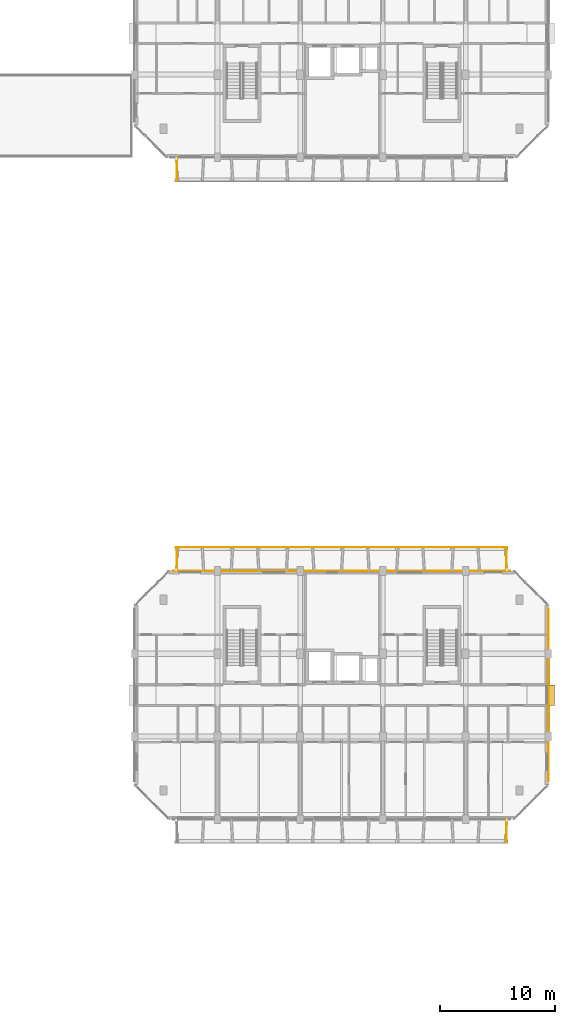
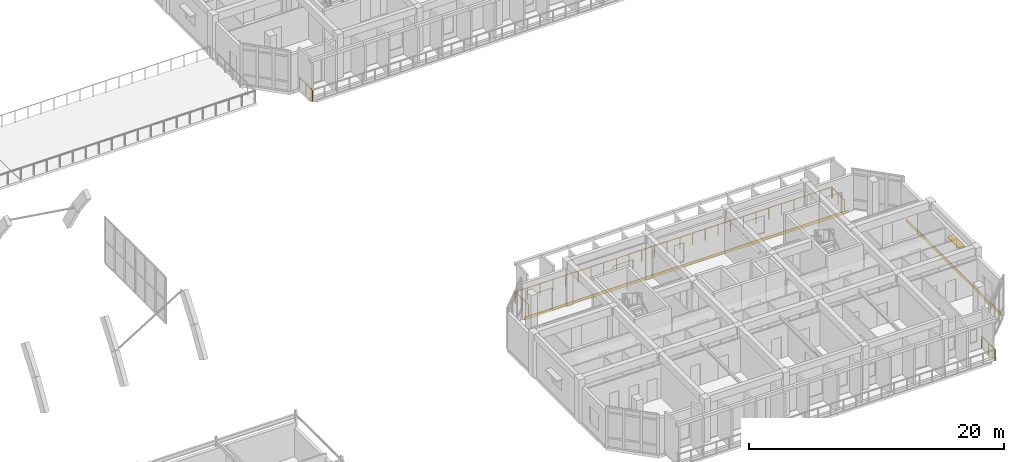
# One storey, part 81 of 85: 5 railings, 2 coverings, 1 shading device.
"""IFC4 building model written with IfcOpenShell, lengths in metres."""

from ifc_helpers import new_model, si_unit, direction, frame, origin, origin_2d, place, context, subcontext, project, spatial, rectangle, circle, extrude, material, layer, layer_set, type_object, element, save


model = new_model("IFC4")

# Units and contexts
model_context = context("Model", 3, precision=1e-05, world=origin(), true_north=direction((0.0, 1.0)))
body_context = subcontext(model_context, "Body", "Model", "MODEL_VIEW")
ifc_project = project(units=[si_unit("LENGTHUNIT", "METRE"), si_unit("AREAUNIT", "SQUARE_METRE"), si_unit("VOLUMEUNIT", "CUBIC_METRE"), si_unit("PLANEANGLEUNIT", "RADIAN"), si_unit("MASSUNIT", "GRAM", prefix="KILO")], contexts=[model_context])

# Site, building, storey
site_placement = place(None, origin())
site = spatial("IfcSite", under=ifc_project, at=site_placement, CompositionType="ELEMENT")
building_placement = place(site_placement, origin())
building = spatial("IfcBuilding", under=site, at=building_placement, Name="Ochrevale Crest", CompositionType="ELEMENT")
storey_placement = place(building_placement, frame((0.0, 0.0, 4.5)))
storey = spatial("IfcBuildingStorey", under=building, at=storey_placement, Name="L01", CompositionType="ELEMENT", Elevation=4.5)

# Coverings
ifc_material_1 = material(Name="Glazed terracotta rainscreen tile", Category="masonry")
ifc_layer = layer(ifc_material_1, 0.048095703125)
ifc_layer_set = layer_set([ifc_layer], Name="Glazed terracotta rainscreen tile")
covering_type = type_object("IfcCoveringType", Name="COV-CLAD-TER", PredefinedType="CLADDING", material=ifc_layer_set)
covering_1_placement = place(storey_placement, frame((165.614501953125, 25.199951171875, -0.26025390625), z_axis=(0.0, 0.0, 1.0), x_axis=(0.0, 1.0, 0.0)))
element("IfcCovering", 1, at=covering_1_placement, inside=storey, type_object=covering_type, Name="Block C L01 terracotta slab-edge spandrel cladding", PredefinedType="CLADDING", context=body_context, shape_type="SweptSolid", body=[
    extrude(rectangle(XDim=15.0, YDim=0.06005859375, at=origin_2d()), origin(), (0.0, 0.0, 1.0), 0.280029296875),
])
covering_2_placement = place(storey_placement, frame((147.60009765625, 36.012451171875, -0.26025390625), z_axis=(0.0, 0.0, 1.0), x_axis=(-1.0, 0.0, 0.0)))
element("IfcCovering", 2, at=covering_2_placement, inside=storey, type_object=covering_type, Name="Block C L01 terracotta slab-edge spandrel cladding", PredefinedType="CLADDING", context=body_context, shape_type="SweptSolid", body=[
    extrude(rectangle(XDim=29.39990234375, YDim=0.06005859375, at=origin_2d()), origin(), (0.0, 0.0, 1.0), 0.280029296875),
])

# Railings
ifc_material_2 = material(Name="Galvanised steel", Category="steel")
railing_type = type_object("IfcRailingType", Name="RL-BAL-1100", PredefinedType="BALUSTRADE", material=ifc_material_2)
railing_1_placement = place(storey_placement, frame((161.93994140625, 14.39990234375, 0.0)))
element("IfcRailing", 3, at=railing_1_placement, inside=storey, type_object=railing_type, Name="Block C L01 S-E balcony side guard", PredefinedType="BALUSTRADE", context=body_context, shape_type="SweptSolid", body=[
    extrude(circle(Radius=0.02392578125, at=origin_2d()), frame((0.0, 0.0, 1.0859375), z_axis=(0.0, -1.0, 0.0), x_axis=(1.0, 0.0, 0.0)), (0.0, 0.0, 1.0), 2.039794921875),
    extrude(circle(Radius=0.02099609375, at=origin_2d()), origin(), (0.0, 0.0, 1.0), 1.06201171875),
    extrude(circle(Radius=0.02099609375, at=origin_2d()), frame((0.0, -1.02001953125, 0.0)), (0.0, 0.0, 1.0), 1.06201171875),
    extrude(circle(Radius=0.02099609375, at=origin_2d()), frame((0.0, -2.039794921875, 0.0)), (0.0, 0.0, 1.0), 1.06201171875),
])
railing_2_placement = place(storey_placement, frame((133.199951171875, 38.0400390625, 0.0)))
element("IfcRailing", 4, at=railing_2_placement, inside=storey, type_object=railing_type, Name="Block C L01 N balcony front balustrade", PredefinedType="BALUSTRADE", context=body_context, shape_type="SweptSolid", body=[
    extrude(circle(Radius=0.02392578125, at=origin_2d()), frame((0.0, 0.0, 1.0859375), z_axis=(1.0, 0.0, 0.0), x_axis=(0.0, 1.0, 0.0)), (0.0, 0.0, 1.0), 28.800048828125),
    extrude(circle(Radius=0.02099609375, at=origin_2d()), origin(), (0.0, 0.0, 1.0), 1.06201171875),
    extrude(circle(Radius=0.02099609375, at=origin_2d()), frame((1.152099609375, 0.0, 0.0)), (0.0, 0.0, 1.0), 1.06201171875),
    extrude(circle(Radius=0.02099609375, at=origin_2d()), frame((2.303955078125, 0.0, 0.0)), (0.0, 0.0, 1.0), 1.06201171875),
    extrude(circle(Radius=0.02099609375, at=origin_2d()), frame((3.4560546875, 0.0, 0.0)), (0.0, 0.0, 1.0), 1.06201171875),
    extrude(circle(Radius=0.02099609375, at=origin_2d()), frame((4.60791015625, 0.0, 0.0)), (0.0, 0.0, 1.0), 1.06201171875),
    extrude(circle(Radius=0.02099609375, at=origin_2d()), frame((5.760009765625, 0.0, 0.0)), (0.0, 0.0, 1.0), 1.06201171875),
    extrude(circle(Radius=0.02099609375, at=origin_2d()), frame((6.912109375, 0.0, 0.0)), (0.0, 0.0, 1.0), 1.06201171875),
    extrude(circle(Radius=0.02099609375, at=origin_2d()), frame((8.06396484375, 0.0, 0.0)), (0.0, 0.0, 1.0), 1.06201171875),
    extrude(circle(Radius=0.02099609375, at=origin_2d()), frame((9.216064453125, 0.0, 0.0)), (0.0, 0.0, 1.0), 1.06201171875),
    extrude(circle(Radius=0.02099609375, at=origin_2d()), frame((10.367919921875, 0.0, 0.0)), (0.0, 0.0, 1.0), 1.06201171875),
    extrude(circle(Radius=0.02099609375, at=origin_2d()), frame((11.52001953125, 0.0, 0.0)), (0.0, 0.0, 1.0), 1.06201171875),
    extrude(circle(Radius=0.02099609375, at=origin_2d()), frame((12.672119140625, 0.0, 0.0)), (0.0, 0.0, 1.0), 1.06201171875),
    extrude(circle(Radius=0.02099609375, at=origin_2d()), frame((13.823974609375, 0.0, 0.0)), (0.0, 0.0, 1.0), 1.06201171875),
    extrude(circle(Radius=0.02099609375, at=origin_2d()), frame((14.97607421875, 0.0, 0.0)), (0.0, 0.0, 1.0), 1.06201171875),
    extrude(circle(Radius=0.02099609375, at=origin_2d()), frame((16.1279296875, 0.0, 0.0)), (0.0, 0.0, 1.0), 1.06201171875),
    extrude(circle(Radius=0.02099609375, at=origin_2d()), frame((17.280029296875, 0.0, 0.0)), (0.0, 0.0, 1.0), 1.06201171875),
    extrude(circle(Radius=0.02099609375, at=origin_2d()), frame((18.43212890625, 0.0, 0.0)), (0.0, 0.0, 1.0), 1.06201171875),
    extrude(circle(Radius=0.02099609375, at=origin_2d()), frame((19.583984375, 0.0, 0.0)), (0.0, 0.0, 1.0), 1.06201171875),
    extrude(circle(Radius=0.02099609375, at=origin_2d()), frame((20.736083984375, 0.0, 0.0)), (0.0, 0.0, 1.0), 1.06201171875),
    extrude(circle(Radius=0.02099609375, at=origin_2d()), frame((21.887939453125, 0.0, 0.0)), (0.0, 0.0, 1.0), 1.06201171875),
    extrude(circle(Radius=0.02099609375, at=origin_2d()), frame((23.0400390625, 0.0, 0.0)), (0.0, 0.0, 1.0), 1.06201171875),
    extrude(circle(Radius=0.02099609375, at=origin_2d()), frame((24.192138671875, 0.0, 0.0)), (0.0, 0.0, 1.0), 1.06201171875),
    extrude(circle(Radius=0.02099609375, at=origin_2d()), frame((25.343994140625, 0.0, 0.0)), (0.0, 0.0, 1.0), 1.06201171875),
    extrude(circle(Radius=0.02099609375, at=origin_2d()), frame((26.49609375, 0.0, 0.0)), (0.0, 0.0, 1.0), 1.06201171875),
    extrude(circle(Radius=0.02099609375, at=origin_2d()), frame((27.64794921875, 0.0, 0.0)), (0.0, 0.0, 1.0), 1.06201171875),
    extrude(circle(Radius=0.02099609375, at=origin_2d()), frame((28.800048828125, 0.0, 0.0)), (0.0, 0.0, 1.0), 1.06201171875),
])
for number, where, name in (
    (5, (133.260009765625, 36.0, 0.0), "Block C L01 N-W balcony side guard"),
    (6, (161.93994140625, 36.0, 0.0), "Block C L01 N-E balcony side guard"),
):
    element("IfcRailing", number, at=place(storey_placement, frame(where)), inside=storey, type_object=railing_type, Name=name, PredefinedType="BALUSTRADE", context=body_context, shape_type="SweptSolid", body=[
        extrude(circle(Radius=0.02392578125, at=origin_2d()), frame((0.0, 0.0, 1.0859375), z_axis=(0.0, 1.0, 0.0), x_axis=(-1.0, 0.0, 0.0)), (0.0, 0.0, 1.0), 2.0400390625),
        extrude(circle(Radius=0.02099609375, at=origin_2d()), origin(), (0.0, 0.0, 1.0), 1.06201171875),
        extrude(circle(Radius=0.02099609375, at=origin_2d()), frame((0.0, 1.02001953125, 0.0)), (0.0, 0.0, 1.0), 1.06201171875),
        extrude(circle(Radius=0.02099609375, at=origin_2d()), frame((0.0, 2.0400390625, 0.0)), (0.0, 0.0, 1.0), 1.06201171875),
    ])
railing_3_placement = place(storey_placement, frame((133.260009765625, 72.0, 0.0)))
element("IfcRailing", 7, at=railing_3_placement, inside=storey, type_object=railing_type, Name="Block D L01 S-W balcony side guard", PredefinedType="BALUSTRADE", context=body_context, shape_type="SweptSolid", body=[
    extrude(circle(Radius=0.02392578125, at=origin_2d()), frame((0.0, 0.0, 1.0859375), z_axis=(0.0, -1.0, 0.0), x_axis=(1.0, 0.0, 0.0)), (0.0, 0.0, 1.0), 2.0400390625),
    extrude(circle(Radius=0.02099609375, at=origin_2d()), origin(), (0.0, 0.0, 1.0), 1.06201171875),
    extrude(circle(Radius=0.02099609375, at=origin_2d()), frame((0.0, -1.02001953125, 0.0)), (0.0, 0.0, 1.0), 1.06201171875),
    extrude(circle(Radius=0.02099609375, at=origin_2d()), frame((0.0, -2.0400390625, 0.0)), (0.0, 0.0, 1.0), 1.06201171875),
])

# Shading device
ifc_material_3 = material(Name="Anodised aluminium 6063-T5", Category="aluminium")
shading_device_type = type_object("IfcShadingDeviceType", Name="SHD-SUNSHADE-OC", PredefinedType="USERDEFINED", material=ifc_material_3)
shading_device_placement = place(storey_placement, frame((165.840087890625, 25.199951171875, 2.2099609375), z_axis=(0.0, 0.0, 1.0), x_axis=(1.0, 0.0, 0.0)))
element("IfcShadingDevice", 8, at=shading_device_placement, inside=storey, type_object=shading_device_type, Name="Block C L01 gable window sunshade E", ObjectType="HORIZONTAL SUNSHADE", PredefinedType="USERDEFINED", context=body_context, shape_type="SweptSolid", body=[
    extrude(rectangle(XDim=0.550048828125, YDim=1.800048828125, at=origin_2d()), origin(), (0.0, 0.0, 1.0), 0.139892578125),
])

save(model, "model.ifc")
